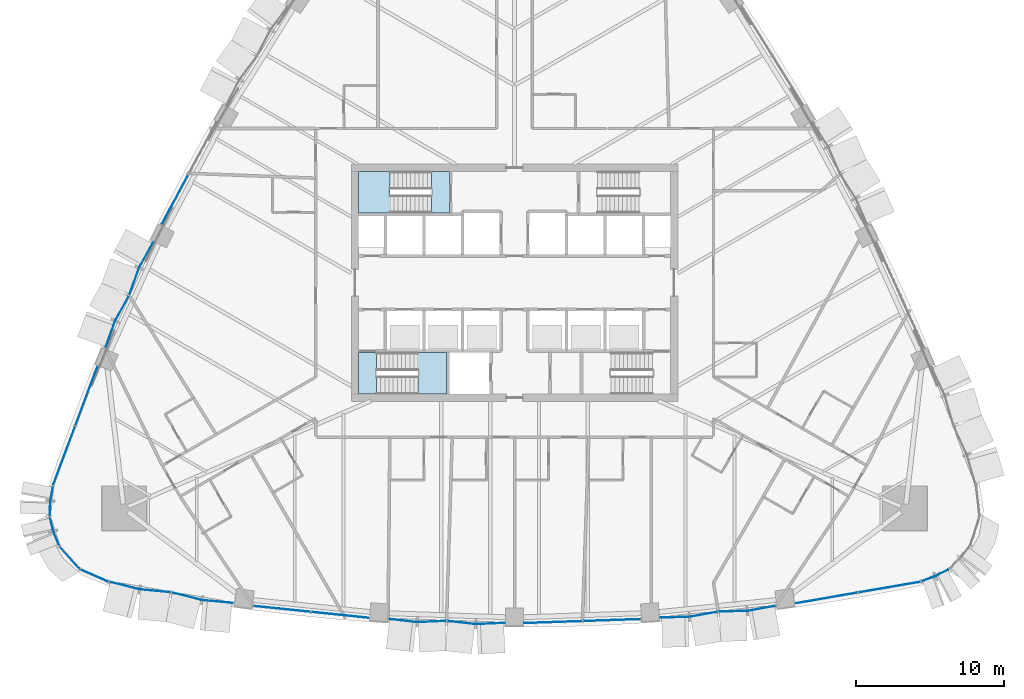
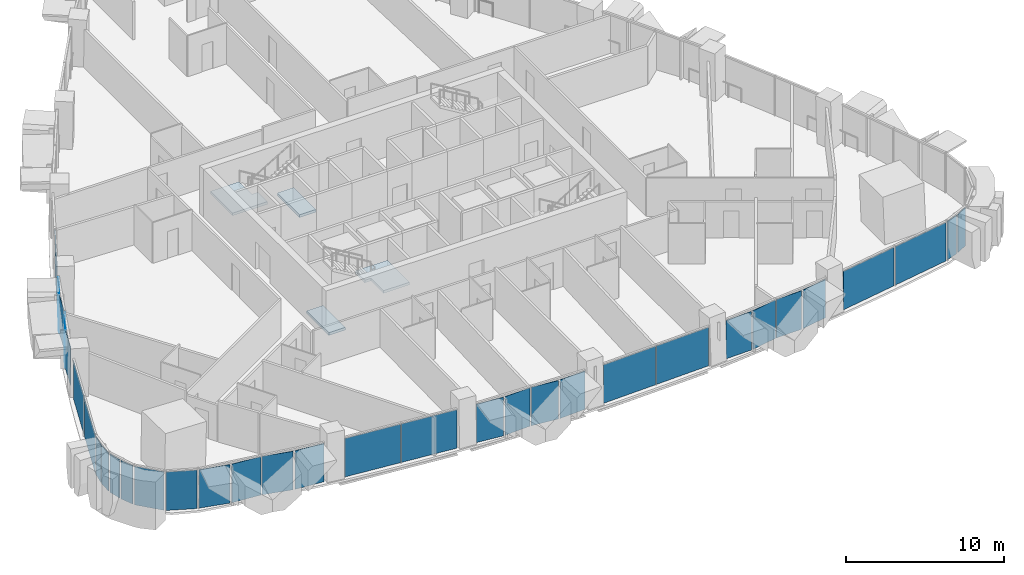
# One storey, part 8 of 19: 33 plates, 4 slabs, 16 elements without a shape of their own.
"""IFC4 building model written with IfcOpenShell, lengths in metres."""

from ifc_helpers import new_model, si_unit, direction, frame, origin, origin_2d, place, context, subcontext, project, spatial, polyline, rectangle, outline, extrude, material, layer, layer_set, type_object, element, aggregate, save


model = new_model("IFC4")

# Units and contexts
model_context = context("Model", 3, precision=1e-05, world=origin(), true_north=direction((0.0, 1.0)))
body_context = subcontext(model_context, "Body", "Model", "MODEL_VIEW")
ifc_project = project(units=[si_unit("LENGTHUNIT", "METRE"), si_unit("AREAUNIT", "SQUARE_METRE"), si_unit("VOLUMEUNIT", "CUBIC_METRE"), si_unit("PLANEANGLEUNIT", "RADIAN"), si_unit("MASSUNIT", "GRAM", prefix="KILO")], contexts=[model_context])

# Site, building, storey
site_placement = place(None, origin())
site = spatial("IfcSite", under=ifc_project, at=site_placement, CompositionType="ELEMENT")
building_placement = place(site_placement, origin())
building = spatial("IfcBuilding", under=site, at=building_placement, Name="Sierra Prisma Convention Tower", CompositionType="ELEMENT")
storey_placement = place(building_placement, frame((0.0, 0.0, 77.60009765625)))
storey = spatial("IfcBuildingStorey", under=building, at=storey_placement, Name="L15", CompositionType="ELEMENT", Elevation=77.60009765625)

# Curtain wall, plates
ifc_material_1 = material(Name="Aluminium and glass curtain wall", Category="aluminium")
ifc_layer_1 = layer(ifc_material_1, 0.179931640625)
ifc_layer_set_1 = layer_set([ifc_layer_1], Name="CW-1 Plain shaft curtain wall")
curtain_wall_type_1 = type_object("IfcCurtainWallType", Name="CW-1 Plain shaft curtain wall", PredefinedType="NOTDEFINED", material=ifc_layer_set_1)
curtain_wall_1_placement = place(storey_placement, origin())
curtain_wall_1 = element("IfcCurtainWall", 1, at=curtain_wall_1_placement, inside=storey, type_object=curtain_wall_type_1, Name="CW-1 S2 L15", PredefinedType="NOTDEFINED")
ifc_material_2 = material(Name="Tinted glass bronze-grey IGU", Category="glass")
ifc_layer_2 = layer(ifc_material_2, 0.028076171875)
ifc_layer_set_2 = layer_set([ifc_layer_2], Name="CW-1 glass panel")
plate_type_1 = type_object("IfcPlateType", Name="CW-1 glass panel", PredefinedType="CURTAIN_PANEL", material=ifc_layer_set_2)
plate_1_placement = place(storey_placement, frame((-15.6669921875, -21.97216796875, 0.0), z_axis=(0.0, 0.0, 1.0), x_axis=(0.994772930639, -0.102111784176, 0.0)))
plate_1 = element("IfcPlate", 2, at=plate_1_placement, type_object=plate_type_1, Name="CW-1 panel S2.1", PredefinedType="CURTAIN_PANEL", context=body_context, shape_type="SweptSolid", body=[
    extrude(rectangle(XDim=3.85498046875, YDim=0.028076171875, at=origin_2d()), origin(), (0.0, 0.0, 1.0), 2.97998046875),
])
plate_2_placement = place(storey_placement, frame((-11.762451171875, -22.373046875, 0.0), z_axis=(0.0, 0.0, 1.0), x_axis=(0.994772930639, -0.102111784176, 0.0)))
plate_2 = element("IfcPlate", 3, at=plate_2_placement, type_object=plate_type_1, Name="CW-1 panel S2.2", PredefinedType="CURTAIN_PANEL", context=body_context, shape_type="SweptSolid", body=[
    extrude(rectangle(XDim=3.85498046875, YDim=0.028076171875, at=origin_2d()), origin(), (0.0, 0.0, 1.0), 2.97998046875),
])
aggregate(curtain_wall_1, [plate_1, plate_2])

curtain_wall_2_placement = place(storey_placement, origin())
curtain_wall_2 = element("IfcCurtainWall", 4, at=curtain_wall_2_placement, inside=storey, type_object=curtain_wall_type_1, Name="CW-1 S4 L15", PredefinedType="NOTDEFINED")
plate_3_placement = place(storey_placement, frame((2.6064453125, -22.8623046875, 0.0), z_axis=(0.0, 0.0, 1.0), x_axis=(0.999418764156, 0.03409008438, 0.0)))
plate_3 = element("IfcPlate", 5, at=plate_3_placement, type_object=plate_type_1, Name="CW-1 panel S4.1", PredefinedType="CURTAIN_PANEL", context=body_context, shape_type="SweptSolid", body=[
    extrude(rectangle(XDim=3.876220703125, YDim=0.028076171875, at=origin_2d()), origin(), (0.0, 0.0, 1.0), 2.97998046875),
])
plate_4_placement = place(storey_placement, frame((6.55029296875, -22.727783203125, 0.0), z_axis=(0.0, 0.0, 1.0), x_axis=(0.999418764156, 0.03409008438, 0.0)))
plate_4 = element("IfcPlate", 6, at=plate_4_placement, type_object=plate_type_1, Name="CW-1 panel S4.2", PredefinedType="CURTAIN_PANEL", context=body_context, shape_type="SweptSolid", body=[
    extrude(rectangle(XDim=3.876220703125, YDim=0.028076171875, at=origin_2d()), origin(), (0.0, 0.0, 1.0), 2.97998046875),
])
aggregate(curtain_wall_2, [plate_3, plate_4])

curtain_wall_3_placement = place(storey_placement, origin())
curtain_wall_3 = element("IfcCurtainWall", 7, at=curtain_wall_3_placement, inside=storey, type_object=curtain_wall_type_1, Name="CW-1 S6 L15", PredefinedType="NOTDEFINED")
plate_5_placement = place(storey_placement, frame((21.0380859375, -21.231689453125, 0.0), z_axis=(0.0, 0.0, 1.0), x_axis=(0.985502859927, 0.169658813728, 0.0)))
plate_5 = element("IfcPlate", 8, at=plate_5_placement, type_object=plate_type_1, Name="CW-1 panel S6.1", PredefinedType="CURTAIN_PANEL", context=body_context, shape_type="SweptSolid", body=[
    extrude(rectangle(XDim=4.18701171875, YDim=0.028076171875, at=origin_2d()), origin(), (0.0, 0.0, 1.0), 2.97998046875),
])
plate_6_placement = place(storey_placement, frame((25.233154296875, -20.50927734375, 0.0), z_axis=(0.0, 0.0, 1.0), x_axis=(0.985502859927, 0.169658813728, 0.0)))
plate_6 = element("IfcPlate", 9, at=plate_6_placement, type_object=plate_type_1, Name="CW-1 panel S6.2", PredefinedType="CURTAIN_PANEL", context=body_context, shape_type="SweptSolid", body=[
    extrude(rectangle(XDim=4.18701171875, YDim=0.028076171875, at=origin_2d()), origin(), (0.0, 0.0, 1.0), 2.97998046875),
])
aggregate(curtain_wall_3, [plate_5, plate_6])

# Curtain wall, plate
curtain_wall_4_placement = place(storey_placement, origin())
curtain_wall_4 = element("IfcCurtainWall", 10, at=curtain_wall_4_placement, inside=storey, type_object=curtain_wall_type_1, Name="CW-1 NW4 L15", PredefinedType="NOTDEFINED")
plate_7_placement = place(storey_placement, frame((-22.864990234375, 5.638916015625, 0.0), z_axis=(0.0, 0.0, 1.0), x_axis=(-0.470903985064, -0.88218446872, 0.0)))
plate_7 = element("IfcPlate", 11, at=plate_7_placement, type_object=plate_type_1, Name="CW-1 panel NW4.2", PredefinedType="CURTAIN_PANEL", context=body_context, shape_type="SweptSolid", body=[
    extrude(rectangle(XDim=3.86279296875, YDim=0.028076171875, at=origin_2d()), origin(), (0.0, 0.0, 1.0), 2.97998046875),
])
aggregate(curtain_wall_4, [plate_7])

# Curtain wall, plates
curtain_wall_5_placement = place(storey_placement, origin())
curtain_wall_5 = element("IfcCurtainWall", 12, at=curtain_wall_5_placement, inside=storey, type_object=curtain_wall_type_1, Name="CW-1 NW6 L15", PredefinedType="NOTDEFINED")
plate_8_placement = place(storey_placement, frame((-28.8486328125, -7.63623046875, 0.0), z_axis=(0.0, 0.0, 1.0), x_axis=(-0.350139772107, -0.936697464494, 0.0)))
plate_8 = element("IfcPlate", 13, at=plate_8_placement, type_object=plate_type_1, Name="CW-1 panel NW6.1", PredefinedType="CURTAIN_PANEL", context=body_context, shape_type="SweptSolid", body=[
    extrude(rectangle(XDim=4.181640625, YDim=0.028076171875, at=origin_2d()), origin(), (0.0, 0.0, 1.0), 2.97998046875),
])
plate_9_placement = place(storey_placement, frame((-30.337158203125, -11.61865234375, 0.0), z_axis=(0.0, 0.0, 1.0), x_axis=(-0.350139772107, -0.936697464494, 0.0)))
plate_9 = element("IfcPlate", 14, at=plate_9_placement, type_object=plate_type_1, Name="CW-1 panel NW6.2", PredefinedType="CURTAIN_PANEL", context=body_context, shape_type="SweptSolid", body=[
    extrude(rectangle(XDim=4.181640625, YDim=0.028076171875, at=origin_2d()), origin(), (0.0, 0.0, 1.0), 2.97998046875),
])
aggregate(curtain_wall_5, [plate_8, plate_9])

# Curtain wall, plate
curtain_wall_6_placement = place(storey_placement, origin())
curtain_wall_6 = element("IfcCurtainWall", 15, at=curtain_wall_6_placement, inside=storey, type_object=curtain_wall_type_1, Name="CW-1 SW3 L15", PredefinedType="NOTDEFINED")
plate_10_placement = place(storey_placement, frame((-29.9892578125, -18.51220703125, 0.0), z_axis=(0.0, 0.0, 1.0), x_axis=(0.668485661944, -0.743725029682, 0.0)))
plate_10 = element("IfcPlate", 16, at=plate_10_placement, type_object=plate_type_1, Name="CW-1 panel SW3.1", PredefinedType="CURTAIN_PANEL", context=body_context, shape_type="SweptSolid", body=[
    extrude(rectangle(XDim=1.960693359375, YDim=0.028076171875, at=origin_2d()), origin(), (0.0, 0.0, 1.0), 2.97998046875),
])
aggregate(curtain_wall_6, [plate_10])

curtain_wall_7_placement = place(storey_placement, origin())
curtain_wall_7 = element("IfcCurtainWall", 17, at=curtain_wall_7_placement, inside=storey, type_object=curtain_wall_type_1, Name="CW-1 SW4 L15", PredefinedType="NOTDEFINED")
plate_11_placement = place(storey_placement, frame((-28.326171875, -19.7177734375, 0.0), z_axis=(0.0, 0.0, 1.0), x_axis=(0.914741517219, -0.404039548407, 0.0)))
plate_11 = element("IfcPlate", 18, at=plate_11_placement, type_object=plate_type_1, Name="CW-1 panel SW4.1", PredefinedType="CURTAIN_PANEL", context=body_context, shape_type="SweptSolid", body=[
    extrude(rectangle(XDim=1.960693359375, YDim=0.028076171875, at=origin_2d()), origin(), (0.0, 0.0, 1.0), 2.97998046875),
])
aggregate(curtain_wall_7, [plate_11])

# Curtain wall, plates
ifc_material_3 = material(Name="Aluminium and glass curtain wall", Category="aluminium")
ifc_layer_3 = layer(ifc_material_3, 0.179931640625)
ifc_layer_set_3 = layer_set([ifc_layer_3], Name="CW-2 Faceted crystal curtain wall")
curtain_wall_type_2 = type_object("IfcCurtainWallType", Name="CW-2 Faceted crystal curtain wall", PredefinedType="NOTDEFINED", material=ifc_layer_set_3)
curtain_wall_8_placement = place(storey_placement, origin())
curtain_wall_8 = element("IfcCurtainWall", 19, at=curtain_wall_8_placement, inside=storey, type_object=curtain_wall_type_2, Name="CW-2 S1 L15", PredefinedType="NOTDEFINED")
ifc_material_4 = material(Name="Tinted glass bronze-grey IGU", Category="glass")
ifc_layer_4 = layer(ifc_material_4, 0.028076171875)
ifc_layer_set_4 = layer_set([ifc_layer_4], Name="CW-2 crystal pane")
plate_type_2 = type_object("IfcPlateType", Name="CW-2 crystal pane", PredefinedType="CURTAIN_PANEL", material=ifc_layer_set_4)
plate_12_placement = place(storey_placement, frame((-27.29638671875, -20.154052734375, 0.0), z_axis=(-0.24654202388, -0.969132101656, 0.0), x_axis=(0.969132101656, -0.24654202388, 0.0)))
plate_12 = element("IfcPlate", 20, at=plate_12_placement, type_object=plate_type_2, Name="CW-2 pane S1.1.1", PredefinedType="CURTAIN_PANEL", context=body_context, shape_type="SweptSolid", body=[
    extrude(outline(polyline([(0.0, 0.0), (2.034983636780919, 0.0), (2.034983636780919, 2.97998046875), (0.0, 2.97998046875), (0.0, 0.0)])), origin(), (0.0, 0.0, -1.0), 0.028076171875),
])
plate_13_placement = place(storey_placement, frame((-23.170166015625, -20.864501953125, 0.0), z_axis=(-0.091779662045, -0.995779339831, 0.0), x_axis=(-0.995779339831, 0.091779662045, 0.0)))
plate_13 = element("IfcPlate", 21, at=plate_13_placement, type_object=plate_type_2, Name="CW-2 pane S1.1.2", PredefinedType="CURTAIN_PANEL", context=body_context, shape_type="SweptSolid", body=[
    extrude(outline(polyline([(0.0, 0.0), (2.0349560454258806, 0.0), (2.0349560454258806, -2.97998046875), (0.0, -2.97998046875), (0.0, 0.0)])), origin(), (0.0, 0.0, -1.0), 0.028076171875),
])
plate_14_placement = place(storey_placement, frame((-23.10107421875, -20.87646484375, 0.0), z_axis=(-0.246429339335, -0.969160761027, 0.0), x_axis=(0.969160761027, -0.246429339335, 0.0)))
plate_14 = element("IfcPlate", 22, at=plate_14_placement, type_object=plate_type_2, Name="CW-2 pane S1.2.1", PredefinedType="CURTAIN_PANEL", context=body_context, shape_type="SweptSolid", body=[
    extrude(outline(polyline([(0.0, 0.0), (2.0349234596123544, 0.0), (2.0349234596123544, 2.97998046875), (0.0, 2.97998046875), (0.0, 0.0)])), origin(), (0.0, 0.0, -1.0), 0.028076171875),
])
plate_15_placement = place(storey_placement, frame((-18.974853515625, -21.586669921875, 0.0), z_axis=(-0.091779662045, -0.995779339831, 0.0), x_axis=(-0.995779339831, 0.091779662045, 0.0)))
plate_15 = element("IfcPlate", 23, at=plate_15_placement, type_object=plate_type_2, Name="CW-2 pane S1.2.2", PredefinedType="CURTAIN_PANEL", context=body_context, shape_type="SweptSolid", body=[
    extrude(outline(polyline([(0.0, 0.0), (2.0349560454258806, 0.0), (2.0349560454258806, -2.97998046875), (0.0, -2.97998046875), (0.0, 0.0)])), origin(), (0.0, 0.0, -1.0), 0.028076171875),
])
aggregate(curtain_wall_8, [plate_12, plate_13, plate_14, plate_15])

curtain_wall_9_placement = place(storey_placement, origin())
curtain_wall_9 = element("IfcCurtainWall", 24, at=curtain_wall_9_placement, inside=storey, type_object=curtain_wall_type_2, Name="CW-2 S3 L15", PredefinedType="NOTDEFINED")
plate_16_placement = place(storey_placement, frame((-8.4873046875, -22.661865234375, 0.0), z_axis=(-0.112384937834, -0.993664745147, 0.0), x_axis=(0.993664745147, -0.112384937834, 0.0)))
plate_16 = element("IfcPlate", 25, at=plate_16_placement, type_object=plate_type_2, Name="CW-2 pane S3.1.1", PredefinedType="CURTAIN_PANEL", context=body_context, shape_type="SweptSolid", body=[
    extrude(outline(polyline([(0.0, 0.0), (1.8790920268824827, 0.0), (1.8790920268824827, 2.97998046875), (0.0, 2.97998046875), (0.0, 0.0)])), origin(), (0.0, 0.0, -1.0), 0.028076171875),
])
plate_17_placement = place(storey_placement, frame((-4.613525390625, -22.7939453125, 0.0), z_axis=(0.044435192614, -0.999012269022, 0.0), x_axis=(-0.999012269022, -0.044435192614, 0.0)))
plate_17 = element("IfcPlate", 26, at=plate_17_placement, type_object=plate_type_2, Name="CW-2 pane S3.1.2", PredefinedType="CURTAIN_PANEL", context=body_context, shape_type="SweptSolid", body=[
    extrude(outline(polyline([(0.0, 0.0), (1.8790532647430425, 0.0), (1.8790532647430425, -2.97998046875), (0.0, -2.97998046875), (0.0, 0.0)])), origin(), (0.0, 0.0, -1.0), 0.028076171875),
])
plate_18_placement = place(storey_placement, frame((-4.54345703125, -22.79638671875, 0.0), z_axis=(-0.112384937834, -0.993664745147, 0.0), x_axis=(0.993664745147, -0.112384937834, 0.0)))
plate_18 = element("IfcPlate", 27, at=plate_18_placement, type_object=plate_type_2, Name="CW-2 pane S3.2.1", PredefinedType="CURTAIN_PANEL", context=body_context, shape_type="SweptSolid", body=[
    extrude(outline(polyline([(0.0, 0.0), (1.8790920268824827, 0.0), (1.8790920268824827, 2.97998046875), (0.0, 2.97998046875), (0.0, 0.0)])), origin(), (0.0, 0.0, -1.0), 0.028076171875),
])
plate_19_placement = place(storey_placement, frame((-0.669677734375, -22.928466796875, 0.0), z_axis=(0.044435192614, -0.999012269022, 0.0), x_axis=(-0.999012269022, -0.044435192614, 0.0)))
plate_19 = element("IfcPlate", 28, at=plate_19_placement, type_object=plate_type_2, Name="CW-2 pane S3.2.2", PredefinedType="CURTAIN_PANEL", context=body_context, shape_type="SweptSolid", body=[
    extrude(outline(polyline([(0.0, 0.0), (1.8790532647430425, 0.0), (1.8790532647430425, -2.97998046875), (0.0, -2.97998046875), (0.0, 0.0)])), origin(), (0.0, 0.0, -1.0), 0.028076171875),
])
aggregate(curtain_wall_9, [plate_16, plate_17, plate_18, plate_19])

curtain_wall_10_placement = place(storey_placement, origin())
curtain_wall_10 = element("IfcCurtainWall", 29, at=curtain_wall_10_placement, inside=storey, type_object=curtain_wall_type_2, Name="CW-2 S5 L15", PredefinedType="NOTDEFINED")
plate_20_placement = place(storey_placement, frame((9.84521484375, -22.56982421875, 0.0), z_axis=(0.023784119666, -0.999717117815, 0.0), x_axis=(0.999717117815, 0.023784119666, 0.0)))
plate_20 = element("IfcPlate", 30, at=plate_20_placement, type_object=plate_type_2, Name="CW-2 pane S5.1.1", PredefinedType="CURTAIN_PANEL", context=body_context, shape_type="SweptSolid", body=[
    extrude(outline(polyline([(0.0, 0.0), (1.8682042629544924, 0.0), (1.8682042629544924, 2.97998046875), (0.0, 2.97998046875), (0.0, 0.0)])), origin(), (0.0, 0.0, -1.0), 0.028076171875),
])
plate_21_placement = place(storey_placement, frame((13.679931640625, -22.17626953125, 0.0), z_axis=(0.179805294067, -0.983702219285, 0.0), x_axis=(-0.983702219285, -0.179805294067, 0.0)))
plate_21 = element("IfcPlate", 31, at=plate_21_placement, type_object=plate_type_2, Name="CW-2 pane S5.1.2", PredefinedType="CURTAIN_PANEL", context=body_context, shape_type="SweptSolid", body=[
    extrude(outline(polyline([(0.0, 0.0), (1.8683404275905235, 0.0), (1.8683404275905235, -2.97998046875), (0.0, -2.97998046875), (0.0, 0.0)])), origin(), (0.0, 0.0, -1.0), 0.028076171875),
])
plate_22_placement = place(storey_placement, frame((13.74951171875, -22.1689453125, 0.0), z_axis=(0.023650421178, -0.99972028967, 0.0), x_axis=(0.99972028967, 0.023650421178, 0.0)))
plate_22 = element("IfcPlate", 32, at=plate_22_placement, type_object=plate_type_2, Name="CW-2 pane S5.2.1", PredefinedType="CURTAIN_PANEL", context=body_context, shape_type="SweptSolid", body=[
    extrude(outline(polyline([(0.0, 0.0), (1.8684425445554897, 0.0), (1.8684425445554897, 2.97998046875), (0.0, 2.97998046875), (0.0, 0.0)])), origin(), (0.0, 0.0, -1.0), 0.028076171875),
])
plate_23_placement = place(storey_placement, frame((17.584228515625, -21.775390625, 0.0), z_axis=(0.179805294067, -0.983702219285, 0.0), x_axis=(-0.983702219285, -0.179805294067, 0.0)))
plate_23 = element("IfcPlate", 33, at=plate_23_placement, type_object=plate_type_2, Name="CW-2 pane S5.2.2", PredefinedType="CURTAIN_PANEL", context=body_context, shape_type="SweptSolid", body=[
    extrude(outline(polyline([(0.0, 0.0), (1.8683404275905235, 0.0), (1.8683404275905235, -2.97998046875), (0.0, -2.97998046875), (0.0, 0.0)])), origin(), (0.0, 0.0, -1.0), 0.028076171875),
])
aggregate(curtain_wall_10, [plate_20, plate_21, plate_22, plate_23])

curtain_wall_11_placement = place(storey_placement, origin())
curtain_wall_11 = element("IfcCurtainWall", 34, at=curtain_wall_11_placement, inside=storey, type_object=curtain_wall_type_2, Name="CW-2 SE1 L15", PredefinedType="NOTDEFINED")
plate_24_placement = place(storey_placement, frame((27.429443359375, -20.114013671875, 0.0), z_axis=(0.330942380174, -0.943650963548, 0.0), x_axis=(0.943650963548, 0.330942380174, 0.0)))
plate_24 = element("IfcPlate", 35, at=plate_24_placement, type_object=plate_type_2, Name="CW-2 pane SE1.1.1", PredefinedType="CURTAIN_PANEL", context=body_context, shape_type="SweptSolid", body=[
    extrude(outline(polyline([(0.0, 0.0), (0.9184531699002597, 0.0), (0.9184531699002597, 2.97998046875), (0.0, 2.97998046875), (0.0, 0.0)])), origin(), (0.0, 0.0, -1.0), 0.028076171875),
])
plate_25_placement = place(storey_placement, frame((29.222900390625, -19.32177734375, 0.0), z_axis=(0.474543660432, -0.880231966213, 0.0), x_axis=(-0.880231966213, -0.474543660432, 0.0)))
plate_25 = element("IfcPlate", 36, at=plate_25_placement, type_object=plate_type_2, Name="CW-2 pane SE1.1.2", PredefinedType="CURTAIN_PANEL", context=body_context, shape_type="SweptSolid", body=[
    extrude(outline(polyline([(0.0, 0.0), (0.9183370297860063, 0.0), (0.9183370297860063, -2.97998046875), (0.0, -2.97998046875), (0.0, 0.0)])), origin(), (0.0, 0.0, -1.0), 0.028076171875),
])
aggregate(curtain_wall_11, [plate_24, plate_25])

curtain_wall_12_placement = place(storey_placement, origin())
curtain_wall_12 = element("IfcCurtainWall", 37, at=curtain_wall_12_placement, inside=storey, type_object=curtain_wall_type_2, Name="CW-2 NW5 L15", PredefinedType="NOTDEFINED")
plate_26_placement = place(storey_placement, frame((-24.383544921875, 2.699951171875, 0.0), z_axis=(-0.87634317583, 0.481687282557, 0.0), x_axis=(-0.481687282557, -0.87634317583, 0.0)))
plate_26 = element("IfcPlate", 38, at=plate_26_placement, type_object=plate_type_2, Name="CW-2 pane NW5.1.1", PredefinedType="CURTAIN_PANEL", context=body_context, shape_type="SweptSolid", body=[
    extrude(outline(polyline([(0.0, 0.0), (1.8626541105939216, 0.0), (1.8626541105939216, 2.97998046875), (0.0, 2.97998046875), (0.0, 0.0)])), origin(), (0.0, 0.0, -1.0), 0.028076171875),
])
plate_27_placement = place(storey_placement, frame((-25.96484375, -0.802978515625, 0.0), z_axis=(-0.940890753801, 0.338710184985, 0.0), x_axis=(0.338710184985, 0.940890753801, 0.0)))
plate_27 = element("IfcPlate", 39, at=plate_27_placement, type_object=plate_type_2, Name="CW-2 pane NW5.1.2", PredefinedType="CURTAIN_PANEL", context=body_context, shape_type="SweptSolid", body=[
    extrude(outline(polyline([(0.0, 0.0), (1.862534411323686, 0.0), (1.862534411323686, -2.9799804687500004), (0.0, -2.9799804687500004), (0.0, 0.0)])), origin(), (0.0, 0.0, -1.0), 0.028076171875),
])
plate_28_placement = place(storey_placement, frame((-25.99365234375, -0.866943359375, 0.0), z_axis=(-0.876398501828, 0.481586613179, 0.0), x_axis=(-0.481586613179, -0.876398501828, 0.0)))
plate_28 = element("IfcPlate", 40, at=plate_28_placement, type_object=plate_type_2, Name="CW-2 pane NW5.2.1", PredefinedType="CURTAIN_PANEL", context=body_context, shape_type="SweptSolid", body=[
    extrude(outline(polyline([(0.0, 0.0), (1.8625365234480582, 0.0), (1.8625365234480582, 2.97998046875), (0.0, 2.97998046875), (0.0, 0.0)])), origin(), (0.0, 0.0, -1.0), 0.028076171875),
])
plate_29_placement = place(storey_placement, frame((-27.57470703125, -4.369873046875, 0.0), z_axis=(-0.940947547883, 0.338552377237, 0.0), x_axis=(0.338552377237, 0.940947547883, 0.0)))
plate_29 = element("IfcPlate", 41, at=plate_29_placement, type_object=plate_type_2, Name="CW-2 pane NW5.2.2", PredefinedType="CURTAIN_PANEL", context=body_context, shape_type="SweptSolid", body=[
    extrude(outline(polyline([(0.0, 0.0), (1.8626814542616659, 0.0), (1.8626814542616659, -2.9799804687499996), (0.0, -2.9799804687499996), (0.0, 0.0)])), origin(), (0.0, 0.0, -1.0), 0.028076171875),
])
aggregate(curtain_wall_12, [plate_26, plate_27, plate_28, plate_29])

curtain_wall_13_placement = place(storey_placement, origin())
curtain_wall_13 = element("IfcCurtainWall", 42, at=curtain_wall_13_placement, inside=storey, type_object=curtain_wall_type_2, Name="CW-2 SW1 L15", PredefinedType="NOTDEFINED")
plate_30_placement = place(storey_placement, frame((-31.101806640625, -13.71240234375, 0.0), z_axis=(-0.981669304776, 0.190592172089, 0.0), x_axis=(-0.190592172089, -0.981669304776, 0.0)))
plate_30 = element("IfcPlate", 43, at=plate_30_placement, type_object=plate_type_2, Name="CW-2 pane SW1.1.1", PredefinedType="CURTAIN_PANEL", context=body_context, shape_type="SweptSolid", body=[
    extrude(outline(polyline([(0.0, 0.0), (0.9184471020321542, 0.0), (0.9184471020321542, 2.97998046875), (0.0, 2.97998046875), (0.0, 0.0)])), origin(), (0.0, 0.0, -1.0), 0.028076171875),
])
plate_31_placement = place(storey_placement, frame((-31.3232421875, -15.66064453125, 0.0), z_axis=(-0.999402838407, 0.034553821541, 0.0), x_axis=(0.034553821541, 0.999402838407, 0.0)))
plate_31 = element("IfcPlate", 44, at=plate_31_placement, type_object=plate_type_2, Name="CW-2 pane SW1.1.2", PredefinedType="CURTAIN_PANEL", context=body_context, shape_type="SweptSolid", body=[
    extrude(outline(polyline([(0.0, 0.0), (0.9185172532256902, 0.0), (0.9185172532256902, -2.9799804687500004), (0.0, -2.9799804687500004), (0.0, 0.0)])), origin(), (0.0, 0.0, -1.0), 0.028076171875),
])
aggregate(curtain_wall_13, [plate_30, plate_31])

curtain_wall_14_placement = place(storey_placement, origin())
curtain_wall_14 = element("IfcCurtainWall", 45, at=curtain_wall_14_placement, inside=storey, type_object=curtain_wall_type_2, Name="CW-2 SW2 L15", PredefinedType="NOTDEFINED")
plate_32_placement = place(storey_placement, frame((-31.309814453125, -15.796875, 0.0), z_axis=(-0.973455503385, -0.228876348557, 0.0), x_axis=(0.228876348557, -0.973455503385, 0.0)))
plate_32 = element("IfcPlate", 46, at=plate_32_placement, type_object=plate_type_2, Name="CW-2 pane SW2.1.1", PredefinedType="CURTAIN_PANEL", context=body_context, shape_type="SweptSolid", body=[
    extrude(outline(polyline([(0.0, 0.0), (0.9184220189220481, 0.0), (0.9184220189220481, 2.97998046875), (0.0, 2.97998046875), (0.0, 0.0)])), origin(), (0.0, 0.0, -1.0), 0.028076171875),
])
plate_33_placement = place(storey_placement, frame((-30.712646484375, -17.664306640625, 0.0), z_axis=(-0.925589293612, -0.378529337767, 0.0), x_axis=(-0.378529337767, 0.925589293612, 0.0)))
plate_33 = element("IfcPlate", 47, at=plate_33_placement, type_object=plate_type_2, Name="CW-2 pane SW2.1.2", PredefinedType="CURTAIN_PANEL", context=body_context, shape_type="SweptSolid", body=[
    extrude(outline(polyline([(0.0, 0.0), (0.9184393792329495, 0.0), (0.9184393792329495, -2.97998046875), (0.0, -2.97998046875), (0.0, 0.0)])), origin(), (0.0, 0.0, -1.0), 0.028076171875),
])
aggregate(curtain_wall_14, [plate_32, plate_33])

# Stair, slab
ifc_material_5 = material(Name="Concrete C30/37", Category="concrete")
stair_type = type_object("IfcStairType", Name="Stair dog-leg 1200 RC", PredefinedType="HALF_TURN_STAIR", material=ifc_material_5)
stair_1_placement = place(storey_placement, origin())
stair_1 = element("IfcStair", 48, at=stair_1_placement, inside=storey, type_object=stair_type, Name="L15 S1", PredefinedType="HALF_TURN_STAIR")
ifc_material_6 = material(Name="Concrete C35/45", Category="concrete")
ifc_layer_5 = layer(ifc_material_6, 0.199951171875)
ifc_layer_set_5 = layer_set([ifc_layer_5], Name="Stair landing slab")
slab_type = type_object("IfcSlabType", Name="Stair landing slab", PredefinedType="LANDING", material=ifc_layer_set_5)
slab_1_placement = place(storey_placement, frame((0.0, 0.0, 1.64990234375)))
slab_1 = element("IfcSlab", 49, at=slab_1_placement, type_object=slab_type, Name="S1 landing 1", PredefinedType="LANDING", context=body_context, shape_type="SweptSolid", body=[
    extrude(outline(polyline([(-4.60009765625, -4.699951171875), (-4.60009765625, -7.5), (-6.501953125, -7.5), (-6.501953125, -5.89990234375), (-6.949951171875, -5.89990234375), (-6.949951171875, -4.699951171875), (-4.60009765625, -4.699951171875)])), origin(), (0.0, 0.0, 1.0), 0.199951171875),
])
aggregate(stair_1, [slab_1])

# Slab
slab_2_placement = place(storey_placement, frame((0.0, 0.0, -0.2001953125)))
element("IfcSlab", 50, at=slab_2_placement, inside=storey, type_object=slab_type, Name="S1 floor landing L15", PredefinedType="LANDING", context=body_context, shape_type="SweptSolid", body=[
    extrude(outline(polyline([(-10.5, -7.5), (-9.298095703125, -7.5), (-9.298095703125, -4.699951171875), (-10.5, -4.699951171875), (-10.5, -7.5)])), origin(), (0.0, 0.0, 1.0), 0.2001953125),
])

# Stair, slab
stair_2_placement = place(storey_placement, origin())
stair_2 = element("IfcStair", 51, at=stair_2_placement, inside=storey, type_object=stair_type, Name="L15 S3", PredefinedType="HALF_TURN_STAIR")
slab_3_placement = place(storey_placement, frame((0.0, 0.0, 1.64990234375)))
slab_3 = element("IfcSlab", 52, at=slab_3_placement, type_object=slab_type, Name="S3 landing 1", PredefinedType="LANDING", context=body_context, shape_type="SweptSolid", body=[
    extrude(outline(polyline([(-7.949951171875, 5.89990234375), (-7.949951171875, 4.699951171875), (-10.5, 4.699951171875), (-10.5, 7.5), (-8.39794921875, 7.5), (-8.39794921875, 5.89990234375), (-7.949951171875, 5.89990234375)])), origin(), (0.0, 0.0, 1.0), 0.199951171875),
])
aggregate(stair_2, [slab_3])

# Slab
slab_4_placement = place(storey_placement, frame((0.0, 0.0, -0.2001953125)))
element("IfcSlab", 53, at=slab_4_placement, inside=storey, type_object=slab_type, Name="S3 floor landing L15", PredefinedType="LANDING", context=body_context, shape_type="SweptSolid", body=[
    extrude(outline(polyline([(-4.39990234375, 7.5), (-5.60205078125, 7.5), (-5.60205078125, 4.699951171875), (-4.39990234375, 4.699951171875), (-4.39990234375, 7.5)])), origin(), (0.0, 0.0, 1.0), 0.2001953125),
])

save(model, "model.ifc")
